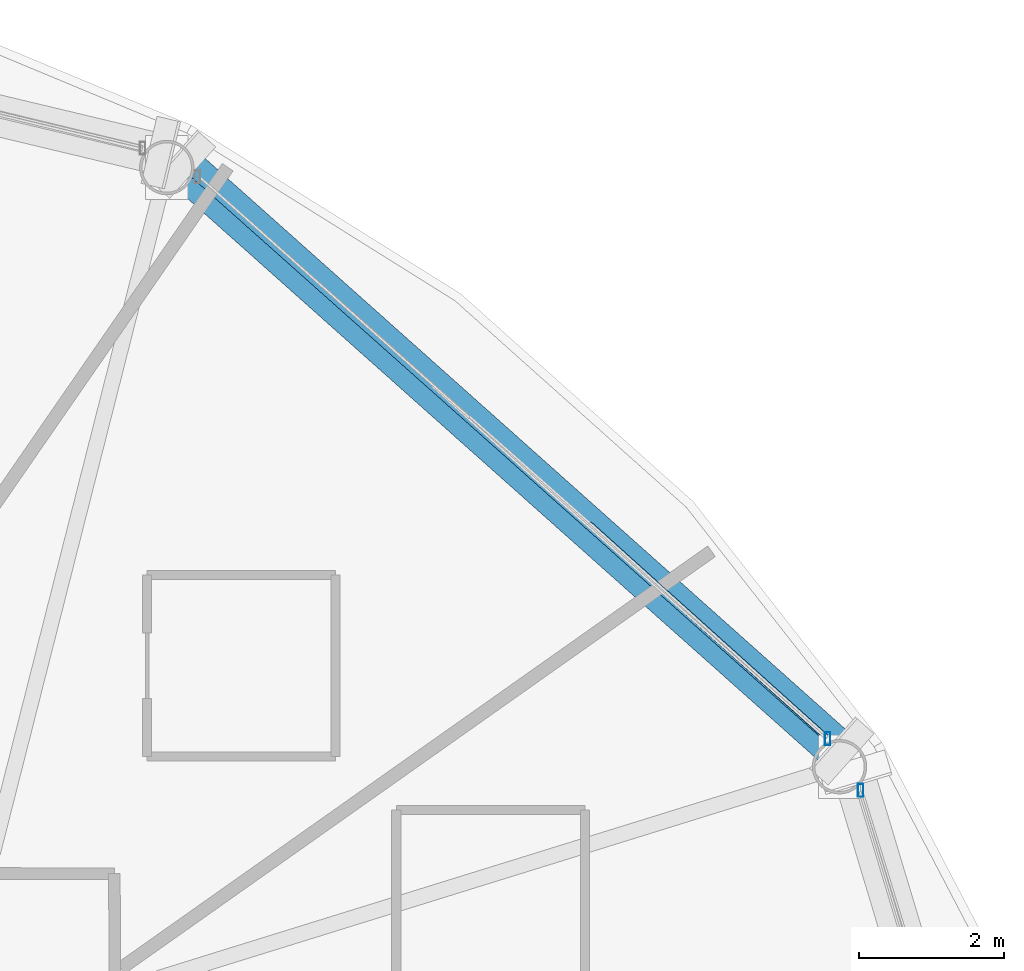
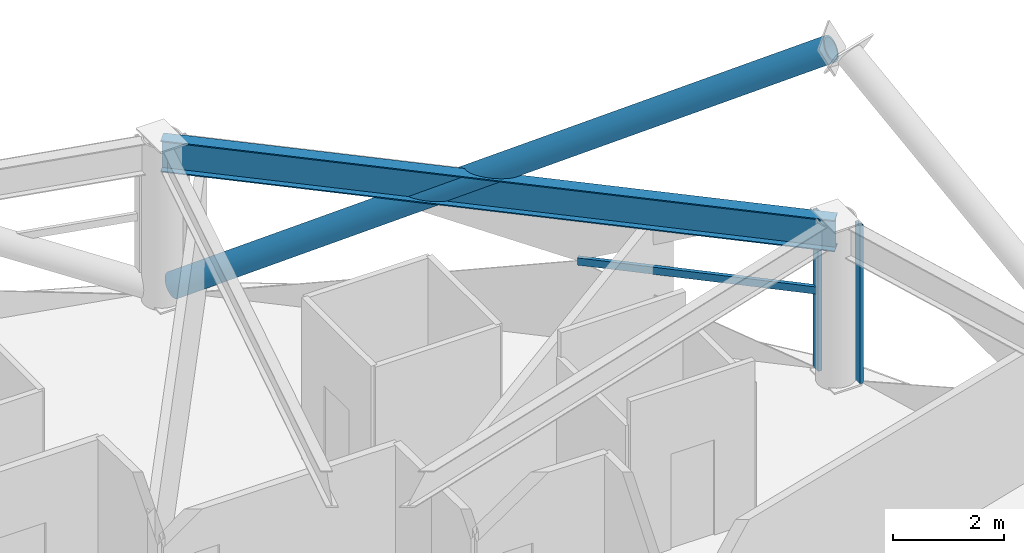
# One storey, part 19 of 30: 4 members, 1 beam, 2 elements without a shape of their own.
"""IFC4 building model written with IfcOpenShell, lengths in metres."""

from ifc_helpers import new_model, si_unit, direction, frame, origin, origin_2d, place, context, subcontext, project, spatial, hollow_rectangle, hollow_circle, i_section, extrude, material, layer, layer_set, material_profile, profile_set, type_object, element, aggregate, save


model = new_model("IFC4")

# Units and contexts
model_context = context("Model", 3, precision=1e-05, world=origin(), true_north=direction((0.0, 1.0)))
body_context = subcontext(model_context, "Body", "Model", "MODEL_VIEW")
ifc_project = project(units=[si_unit("LENGTHUNIT", "METRE"), si_unit("AREAUNIT", "SQUARE_METRE"), si_unit("VOLUMEUNIT", "CUBIC_METRE"), si_unit("PLANEANGLEUNIT", "RADIAN"), si_unit("MASSUNIT", "GRAM", prefix="KILO")], contexts=[model_context])

# Site, building, storey
site_placement = place(None, origin())
site = spatial("IfcSite", under=ifc_project, at=site_placement, CompositionType="ELEMENT")
building_placement = place(site_placement, origin())
building = spatial("IfcBuilding", under=site, at=building_placement, Name="Vantalir Tower", CompositionType="ELEMENT")
storey_placement = place(building_placement, frame((0.0, 0.0, 119.699951171875)))
storey = spatial("IfcBuildingStorey", under=building, at=storey_placement, Name="L29", CompositionType="ELEMENT", Elevation=119.699951171875)

# Beam
ifc_material_1 = material(Name="Steel S460", Category="steel")
ifc_material_profile_1 = material_profile(ifc_material_1, i_section(OverallWidth=0.256103515625, OverallDepth=0.693115234375, WebThickness=0.014404296875, FlangeThickness=0.023681640625, at=origin_2d()), Name="Steel S460")
ifc_profile_set_1 = profile_set([ifc_material_profile_1], Name="Steel S460")
beam_type = type_object("IfcBeamType", Name="BM-RG-686x254", PredefinedType="USERDEFINED", material=ifc_profile_set_1)
beam_placement = place(storey_placement, frame((53.445068359375, 36.282958984375, 3.22314453125), z_axis=(-0.746791899704, 0.665057785862, 0.0), x_axis=(-0.665057785862, -0.746791899704, 0.0)))
element("IfcBeam", 1, at=beam_placement, inside=storey, type_object=beam_type, Name="L29 Circumferential Ring Girder 02", ObjectType="GIRDER", PredefinedType="USERDEFINED", context=body_context, shape_type="SweptSolid", body=[
    extrude(i_section(OverallWidth=0.256103515625, OverallDepth=0.693115234375, WebThickness=0.014404296875, FlangeThickness=0.023681640625, at=origin_2d()), origin(), (0.0, 0.0, 1.0), 12.419921875),
])

# Curtain wall, member
ifc_material_2 = material(Name="Champagne-silver PVDF aluminium and double-silver Low-E glass", Category="aluminium")
ifc_layer = layer(ifc_material_2, 0.199951171875)
ifc_layer_set = layer_set([ifc_layer], Name="Champagne-silver PVDF aluminium and double-silver Low-E glass")
curtain_wall_type = type_object("IfcCurtainWallType", Name="CW-DIAMOND-Z2", PredefinedType="USERDEFINED", material=ifc_layer_set)
curtain_wall_1_placement = place(storey_placement, origin())
curtain_wall_1 = element("IfcCurtainWall", 2, at=curtain_wall_1_placement, inside=storey, type_object=curtain_wall_type, Name="L29 Quilted Pyramid-Diamond Curtain Wall S01", ObjectType="UNITISED CURTAIN WALL", PredefinedType="USERDEFINED")
ifc_material_3 = material(Name="Champagne-silver PVDF aluminium 6063-T6", Category="aluminium")
ifc_material_profile_2 = material_profile(ifc_material_3, hollow_rectangle(XDim=0.074951171875, YDim=0.179931640625, WallThickness=0.00390625, at=origin_2d()), Name="Champagne-silver PVDF aluminium 6063-T6")
ifc_profile_set_2 = profile_set([ifc_material_profile_2], Name="Champagne-silver PVDF aluminium 6063-T6")
member_type_1 = type_object("IfcMemberType", Name="CWM-180x75", PredefinedType="MULLION", material=ifc_profile_set_2)
member_1_placement = place(storey_placement, frame((53.737060546875, 35.95703125, 0.045166015625), z_axis=(0.0, 0.0, 1.0), x_axis=(1.0, 0.0, 0.0)))
member_1 = element("IfcMember", 3, at=member_1_placement, type_object=member_type_1, Name="CW-L29-S01 Mullion 2", PredefinedType="MULLION", context=body_context, shape_type="SweptSolid", body=[
    extrude(hollow_rectangle(XDim=0.074951171875, YDim=0.179931640625, WallThickness=0.00390625, at=origin_2d()), origin(), (0.0, 0.0, 1.0), 3.47998046875),
])
aggregate(curtain_wall_1, [member_1])

# Curtain wall, members
curtain_wall_2_placement = place(storey_placement, origin())
curtain_wall_2 = element("IfcCurtainWall", 4, at=curtain_wall_2_placement, inside=storey, type_object=curtain_wall_type, Name="L29 Quilted Pyramid-Diamond Curtain Wall S02", ObjectType="UNITISED CURTAIN WALL", PredefinedType="USERDEFINED")
member_2_placement = place(storey_placement, frame((53.281982421875, 36.6708984375, 0.045166015625), z_axis=(0.0, 0.0, 1.0), x_axis=(1.0, 0.0, 0.0)))
member_2 = element("IfcMember", 5, at=member_2_placement, type_object=member_type_1, Name="CW-L29-S02 Mullion 1", PredefinedType="MULLION", context=body_context, shape_type="SweptSolid", body=[
    extrude(hollow_rectangle(XDim=0.074951171875, YDim=0.179931640625, WallThickness=0.00390625, at=origin_2d()), origin(), (0.0, 0.0, 1.0), 3.47998046875),
])
ifc_material_profile_3 = material_profile(ifc_material_3, hollow_rectangle(XDim=0.074951171875, YDim=0.159912109375, WallThickness=0.00390625, at=origin_2d()), Name="Champagne-silver PVDF aluminium 6063-T6")
ifc_profile_set_3 = profile_set([ifc_material_profile_3], Name="Champagne-silver PVDF aluminium 6063-T6")
member_type_2 = type_object("IfcMemberType", Name="CWT-160x75", PredefinedType="USERDEFINED", material=ifc_profile_set_3)
member_3_placement = place(storey_placement, frame((53.281982421875, 36.6708984375, 1.78515625), z_axis=(-0.743027576225, 0.669260801907, 0.0), x_axis=(-0.669260801907, -0.743027576225, 0.0)))
member_3 = element("IfcMember", 6, at=member_3_placement, type_object=member_type_2, Name="CW-L29-S02 Pyramid Fold Ridge Transom", ObjectType="TRANSOM", PredefinedType="USERDEFINED", context=body_context, shape_type="SweptSolid", body=[
    extrude(hollow_rectangle(XDim=0.074951171875, YDim=0.159912109375, WallThickness=0.00390625, at=origin_2d()), origin(), (0.0, 0.0, 1.0), 4.41845703125),
])
aggregate(curtain_wall_2, [member_2, member_3])

# Member
ifc_material_profile_4 = material_profile(ifc_material_1, hollow_circle(Radius=0.260009765625, WallThickness=0.0380859375, at=origin_2d()), Name="Steel S460")
ifc_profile_set_4 = profile_set([ifc_material_profile_4], Name="Steel S460")
member_type_3 = type_object("IfcMemberType", Name="MEM-DB-520x38", PredefinedType="BRACE", material=ifc_profile_set_4)
member_4_placement = place(storey_placement, frame((44.407958984375, 44.580078125, 0.18896484375), z_axis=(0.64795553905, -0.577582531386, 0.496540067722), x_axis=(0.665407081999, 0.746480686439, 0.0)))
element("IfcMember", 7, at=member_4_placement, inside=storey, type_object=member_type_3, Name="L29 Perimeter S460 Diagrid Brace R07R", PredefinedType="BRACE", context=body_context, shape_type="SweptSolid", body=[
    extrude(hollow_circle(Radius=0.260009765625, WallThickness=0.0380859375, at=origin_2d()), origin(), (0.0, 0.0, 1.0), 13.98095703125),
])

save(model, "model.ifc")
